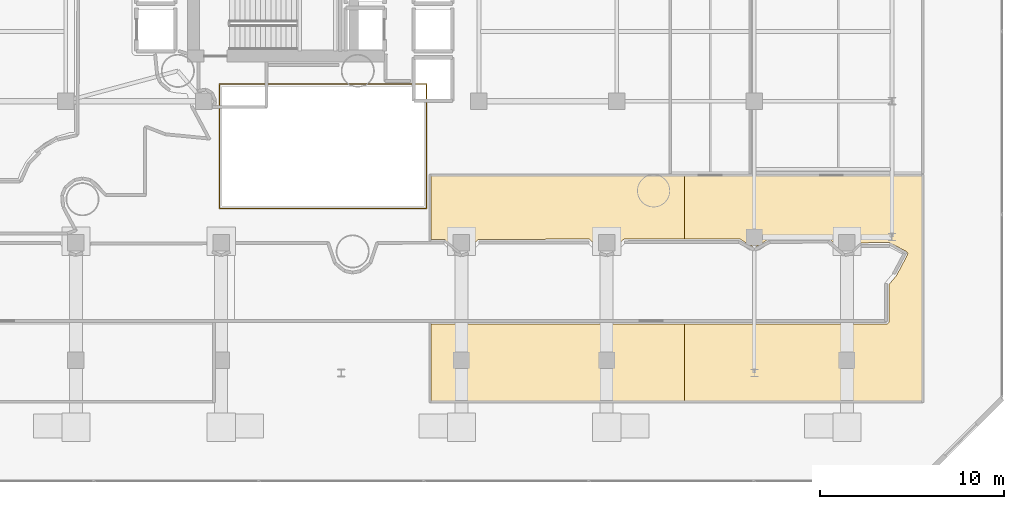
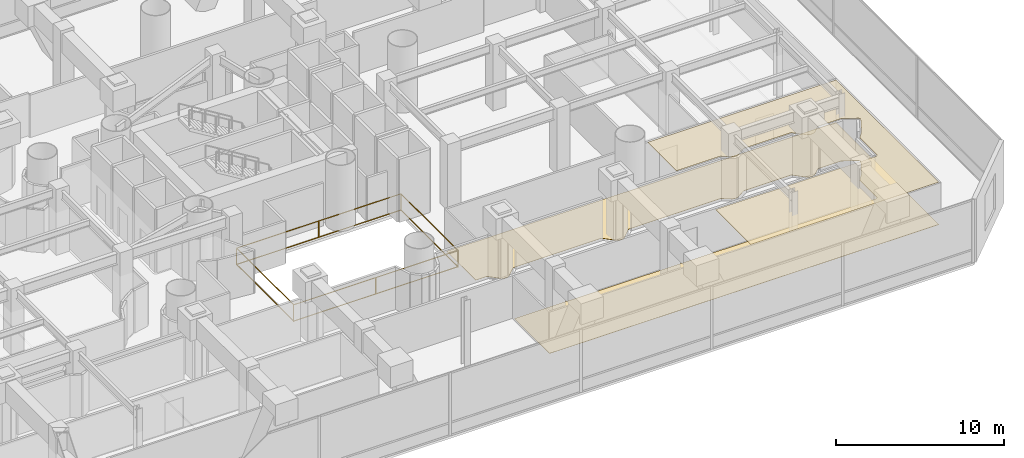
# One storey, part 39 of 45: 2 coverings, 1 railing.
"""IFC4 building model written with IfcOpenShell, lengths in metres."""

from ifc_helpers import new_model, si_unit, direction, frame, origin, origin_2d, place, context, subcontext, project, spatial, polyline, rectangle, outline, extrude, material, layer, layer_set, type_object, element, save


model = new_model("IFC4")

# Units and contexts
model_context = context("Model", 3, precision=1e-05, world=origin(), true_north=direction((0.0, 1.0)))
body_context = subcontext(model_context, "Body", "Model", "MODEL_VIEW")
ifc_project = project(units=[si_unit("LENGTHUNIT", "METRE"), si_unit("AREAUNIT", "SQUARE_METRE"), si_unit("VOLUMEUNIT", "CUBIC_METRE"), si_unit("PLANEANGLEUNIT", "RADIAN"), si_unit("MASSUNIT", "GRAM", prefix="KILO")], contexts=[model_context])

# Site, building, storey
site_placement = place(None, origin())
site = spatial("IfcSite", under=ifc_project, at=site_placement, CompositionType="ELEMENT")
building_placement = place(site_placement, origin())
building = spatial("IfcBuilding", under=site, at=building_placement, Name="Qianvela Tower", CompositionType="ELEMENT")
storey_placement = place(building_placement, frame((0.0, 0.0, 11.0)))
storey = spatial("IfcBuildingStorey", under=building, at=storey_placement, Name="L02", CompositionType="ELEMENT", Elevation=11.0)

# Coverings
ifc_material_1 = material(Name="Perforated Mineral Acoustic Ceiling Tile")
ifc_layer_1 = layer(ifc_material_1, 0.02490234375)
ifc_layer_set_1 = layer_set([ifc_layer_1], Name="Perforated Mineral Acoustic Ceiling Tile")
covering_type_1 = type_object("IfcCoveringType", Name="COV-CEIL-ACOUSTIC-25", PredefinedType="CEILING", material=ifc_layer_set_1)
covering_1_placement = place(storey_placement, frame((0.0, 0.0, 3.074951171875)))
element("IfcCovering", 1, at=covering_1_placement, inside=storey, type_object=covering_type_1, Name="L02 Acoustic Ceiling Bay 2 L02 Co-working Desk Workspace East", PredefinedType="CEILING", context=body_context, shape_type="SweptSolid", body=[
    extrude(outline(polyline([(56.19140625, 5.8798828125), (56.19140625, 10.05810546875), (67.2060546875, 10.058349609375), (67.21435546875, 10.05859375), (67.22265625, 10.06005859375), (67.230712890625, 10.062255859375), (67.238525390625, 10.065185546875), (67.245849609375, 10.06884765625), (67.2529296875, 10.073486328125), (67.259521484375, 10.07861328125), (67.265380859375, 10.084716796875), (67.3212890625, 10.146240234375), (67.325927734375, 10.152099609375), (67.330078125, 10.157958984375), (67.333740234375, 10.16455078125), (67.336669921875, 10.171142578125), (67.339111328125, 10.17822265625), (67.340576171875, 10.185302734375), (67.341796875, 10.192626953125), (67.342041015625, 10.199951171875), (67.342041015625, 12.22607421875), (67.734619140625, 12.69140625), (67.73974609375, 12.6982421875), (67.744140625, 12.70556640625), (68.347900390625, 13.85009765625), (68.3515625, 13.857421875), (68.35400390625, 13.865234375), (68.35595703125, 13.873291015625), (68.35693359375, 13.88134765625), (68.357177734375, 13.889404296875), (68.356689453125, 13.897705078125), (68.35498046875, 13.90576171875), (68.352783203125, 13.91357421875), (68.349609375, 13.921142578125), (68.345947265625, 13.928466796875), (68.31298828125, 13.983154296875), (68.30908203125, 13.9892578125), (68.304443359375, 13.994873046875), (68.29931640625, 14.000244140625), (68.2939453125, 14.0048828125), (68.2880859375, 14.00927734375), (68.28173828125, 14.0126953125), (67.385986328125, 14.483154296875), (67.37890625, 14.486328125), (67.37158203125, 14.489013671875), (67.364013671875, 14.490966796875), (67.3564453125, 14.491943359375), (67.3486328125, 14.4921875), (65.80810546875, 14.4873046875), (65.80029296875, 14.48681640625), (65.792724609375, 14.48583984375), (65.785400390625, 14.48388671875), (65.778076171875, 14.4814453125), (65.771240234375, 14.478271484375), (65.7646484375, 14.474365234375), (65.75830078125, 14.469970703125), (65.752685546875, 14.46484375), (65.337158203125, 14.063720703125), (65.147216796875, 13.98486328125), (64.942138671875, 13.98486328125), (64.752197265625, 14.0634765625), (64.099609375, 14.6953125), (64.09375, 14.700439453125), (64.08740234375, 14.705078125), (64.080810546875, 14.708984375), (64.07373046875, 14.712158203125), (64.06640625, 14.714599609375), (64.05908203125, 14.716552734375), (64.051513671875, 14.717529296875), (64.043701171875, 14.718017578125), (60.8291015625, 14.709716796875), (60.8212890625, 14.709228515625), (60.813720703125, 14.7080078125), (60.806396484375, 14.706298828125), (60.799072265625, 14.70361328125), (60.7919921875, 14.700439453125), (60.785400390625, 14.696533203125), (60.201416015625, 14.314697265625), (60.0, 14.27490234375), (59.798583984375, 14.314697265625), (59.220458984375, 14.6923828125), (59.2138671875, 14.6962890625), (59.206787109375, 14.69970703125), (59.199462890625, 14.7021484375), (59.19189453125, 14.7041015625), (59.184326171875, 14.705078125), (59.176513671875, 14.705322265625), (56.19140625, 14.697998046875), (56.19140625, 18.1201171875), (69.1201171875, 18.1201171875), (69.1201171875, 5.8798828125), (56.19140625, 5.8798828125)])), origin(), (0.0, 0.0, 1.0), 0.025146484375),
])
ifc_material_2 = material(Name="Engineered Acoustic Oak Timber Flooring", Category="wood")
ifc_layer_2 = layer(ifc_material_2, 0.02001953125)
ifc_layer_set_2 = layer_set([ifc_layer_2], Name="Engineered Acoustic Oak Timber Flooring")
covering_type_2 = type_object("IfcCoveringType", Name="COV-FLOOR-OAK-20", PredefinedType="FLOORING", material=ifc_layer_set_2)
covering_2_placement = place(storey_placement, origin())
element("IfcCovering", 2, at=covering_2_placement, inside=storey, type_object=covering_type_2, Name="L02 Finish Flooring L02 Co-working Desk Workspace East", PredefinedType="FLOORING", context=body_context, shape_type="SweptSolid", body=[
    extrude(outline(polyline([(69.1201171875, 5.8798828125), (42.3798828125, 5.8798828125), (42.3798828125, 10.05810546875), (67.2060546875, 10.058349609375), (67.21435546875, 10.05859375), (67.22265625, 10.06005859375), (67.230712890625, 10.062255859375), (67.238525390625, 10.065185546875), (67.245849609375, 10.06884765625), (67.2529296875, 10.073486328125), (67.259521484375, 10.07861328125), (67.265380859375, 10.084716796875), (67.3212890625, 10.146240234375), (67.325927734375, 10.152099609375), (67.330078125, 10.157958984375), (67.333740234375, 10.16455078125), (67.336669921875, 10.171142578125), (67.339111328125, 10.17822265625), (67.340576171875, 10.185302734375), (67.341796875, 10.192626953125), (67.342041015625, 10.199951171875), (67.342041015625, 12.22607421875), (67.734619140625, 12.69140625), (67.73974609375, 12.6982421875), (67.744140625, 12.70556640625), (68.347900390625, 13.85009765625), (68.3515625, 13.857421875), (68.35400390625, 13.865234375), (68.35595703125, 13.873291015625), (68.35693359375, 13.88134765625), (68.357177734375, 13.889404296875), (68.356689453125, 13.897705078125), (68.35498046875, 13.90576171875), (68.352783203125, 13.91357421875), (68.349609375, 13.921142578125), (68.345947265625, 13.928466796875), (68.31298828125, 13.983154296875), (68.30908203125, 13.9892578125), (68.304443359375, 13.994873046875), (68.29931640625, 14.000244140625), (68.2939453125, 14.0048828125), (68.2880859375, 14.00927734375), (68.28173828125, 14.0126953125), (67.385986328125, 14.483154296875), (67.37890625, 14.486328125), (67.37158203125, 14.489013671875), (67.364013671875, 14.490966796875), (67.3564453125, 14.491943359375), (67.3486328125, 14.4921875), (65.80810546875, 14.4873046875), (65.80029296875, 14.48681640625), (65.792724609375, 14.48583984375), (65.785400390625, 14.48388671875), (65.778076171875, 14.4814453125), (65.771240234375, 14.478271484375), (65.7646484375, 14.474365234375), (65.75830078125, 14.469970703125), (65.752685546875, 14.46484375), (65.337158203125, 14.063720703125), (65.147216796875, 13.98486328125), (64.942138671875, 13.98486328125), (64.752197265625, 14.0634765625), (64.099609375, 14.6953125), (64.09375, 14.700439453125), (64.08740234375, 14.705078125), (64.080810546875, 14.708984375), (64.07373046875, 14.712158203125), (64.06640625, 14.714599609375), (64.05908203125, 14.716552734375), (64.051513671875, 14.717529296875), (64.043701171875, 14.718017578125), (60.8291015625, 14.709716796875), (60.8212890625, 14.709228515625), (60.813720703125, 14.7080078125), (60.806396484375, 14.706298828125), (60.799072265625, 14.70361328125), (60.7919921875, 14.700439453125), (60.785400390625, 14.696533203125), (60.201416015625, 14.314697265625), (60.0, 14.27490234375), (59.798583984375, 14.314697265625), (59.220458984375, 14.6923828125), (59.2138671875, 14.6962890625), (59.206787109375, 14.69970703125), (59.199462890625, 14.7021484375), (59.19189453125, 14.7041015625), (59.184326171875, 14.705078125), (59.176513671875, 14.705322265625), (52.926513671875, 14.689697265625), (52.918701171875, 14.689453125), (52.9111328125, 14.688232421875), (52.90380859375, 14.6865234375), (52.896484375, 14.683837890625), (52.8896484375, 14.6806640625), (52.8828125, 14.6767578125), (52.876708984375, 14.67236328125), (52.87109375, 14.667236328125), (52.247802734375, 14.0634765625), (52.05126953125, 13.982177734375), (51.955322265625, 13.97265625), (51.859619140625, 13.982177734375), (51.6630859375, 14.063720703125), (51.04443359375, 14.662353515625), (51.03857421875, 14.66748046875), (51.032470703125, 14.672119140625), (51.025634765625, 14.67578125), (51.018798828125, 14.67919921875), (51.011474609375, 14.681640625), (51.00390625, 14.68359375), (50.996337890625, 14.6845703125), (50.988525390625, 14.68505859375), (45.001953125, 14.67041015625), (44.994384765625, 14.669921875), (44.98681640625, 14.668701171875), (44.979248046875, 14.6669921875), (44.97216796875, 14.66455078125), (44.965087890625, 14.661376953125), (44.95849609375, 14.657470703125), (44.952392578125, 14.653076171875), (44.94677734375, 14.64794921875), (44.337158203125, 14.063720703125), (44.144287109375, 13.983642578125), (43.945068359375, 13.983642578125), (43.752685546875, 14.0634765625), (43.171630859375, 14.6376953125), (43.166015625, 14.642822265625), (43.15966796875, 14.6474609375), (43.153076171875, 14.651611328125), (43.14599609375, 14.65478515625), (43.138671875, 14.657470703125), (43.131103515625, 14.6591796875), (43.123291015625, 14.660400390625), (43.11572265625, 14.660888671875), (42.3798828125, 14.663330078125), (42.3798828125, 18.1201171875), (69.1201171875, 18.1201171875), (69.1201171875, 5.8798828125)])), origin(), (0.0, 0.0, 1.0), 0.02001953125),
])

# Railing
ifc_material_3 = material(Name="Laminated Safety Glass and Stainless Steel 316", Category="steel")
railing_type = type_object("IfcRailingType", Name="RL-ATRIUM-GUARD-1250", PredefinedType="GUARDRAIL", material=ifc_material_3)
railing_placement = place(storey_placement, frame((30.860107421875, 16.360107421875, 0.0)))
element("IfcRailing", 3, at=railing_placement, inside=storey, type_object=railing_type, Name="L02 Atrium Edge Guardrail 1", PredefinedType="GUARDRAIL", context=body_context, shape_type="SweptSolid", body=[
    extrude(rectangle(XDim=0.050048828125, YDim=0.0400390625, at=origin_2d()), frame((0.0, 0.0, 1.22998046875), z_axis=(0.0, 1.0, 0.0), x_axis=(-1.0, 0.0, 0.0)), (0.0, 0.0, 1.0), 6.77978515625),
    extrude(rectangle(XDim=0.050048828125, YDim=0.0400390625, at=origin_2d()), frame((0.0, 0.0, 0.050048828125), z_axis=(0.0, 1.0, 0.0), x_axis=(-1.0, 0.0, 0.0)), (0.0, 0.0, 1.0), 6.77978515625),
    extrude(rectangle(XDim=0.050048828125, YDim=0.0400390625, at=origin_2d()), frame((0.0, 6.77978515625, 1.22998046875), z_axis=(1.0, 0.0, 0.0), x_axis=(0.0, 1.0, 0.0)), (0.0, 0.0, 1.0), 11.27978515625),
    extrude(rectangle(XDim=0.050048828125, YDim=0.0400390625, at=origin_2d()), frame((0.0, 6.77978515625, 0.050048828125), z_axis=(1.0, 0.0, 0.0), x_axis=(0.0, 1.0, 0.0)), (0.0, 0.0, 1.0), 11.27978515625),
    extrude(rectangle(XDim=0.050048828125, YDim=0.0400390625, at=origin_2d()), frame((11.27978515625, 6.77978515625, 1.22998046875), z_axis=(0.0, -1.0, 0.0), x_axis=(1.0, 0.0, 0.0)), (0.0, 0.0, 1.0), 6.77978515625),
    extrude(rectangle(XDim=0.050048828125, YDim=0.0400390625, at=origin_2d()), frame((11.27978515625, 6.77978515625, 0.050048828125), z_axis=(0.0, -1.0, 0.0), x_axis=(1.0, 0.0, 0.0)), (0.0, 0.0, 1.0), 6.77978515625),
    extrude(rectangle(XDim=0.050048828125, YDim=0.0400390625, at=origin_2d()), frame((11.27978515625, 0.0, 1.22998046875), z_axis=(-1.0, 0.0, 0.0), x_axis=(0.0, -1.0, 0.0)), (0.0, 0.0, 1.0), 11.27978515625),
    extrude(rectangle(XDim=0.050048828125, YDim=0.0400390625, at=origin_2d()), frame((11.27978515625, 0.0, 0.050048828125), z_axis=(-1.0, 0.0, 0.0), x_axis=(0.0, -1.0, 0.0)), (0.0, 0.0, 1.0), 11.27978515625),
    extrude(rectangle(XDim=0.050048828125, YDim=0.050048828125, at=origin_2d()), origin(), (0.0, 0.0, 1.0), 1.2099609375),
    extrude(rectangle(XDim=0.050048828125, YDim=0.050048828125, at=origin_2d()), frame((0.0, 6.77978515625, 0.0)), (0.0, 0.0, 1.0), 1.2099609375),
    extrude(rectangle(XDim=0.050048828125, YDim=0.050048828125, at=origin_2d()), frame((5.639892578125, 6.77978515625, 0.0)), (0.0, 0.0, 1.0), 1.2099609375),
    extrude(rectangle(XDim=0.050048828125, YDim=0.050048828125, at=origin_2d()), frame((11.27978515625, 6.77978515625, 0.0)), (0.0, 0.0, 1.0), 1.2099609375),
    extrude(rectangle(XDim=0.050048828125, YDim=0.050048828125, at=origin_2d()), frame((11.27978515625, 0.0, 0.0)), (0.0, 0.0, 1.0), 1.2099609375),
    extrude(rectangle(XDim=0.050048828125, YDim=0.050048828125, at=origin_2d()), frame((5.639892578125, 0.0, 0.0)), (0.0, 0.0, 1.0), 1.2099609375),
])

save(model, "model.ifc")
